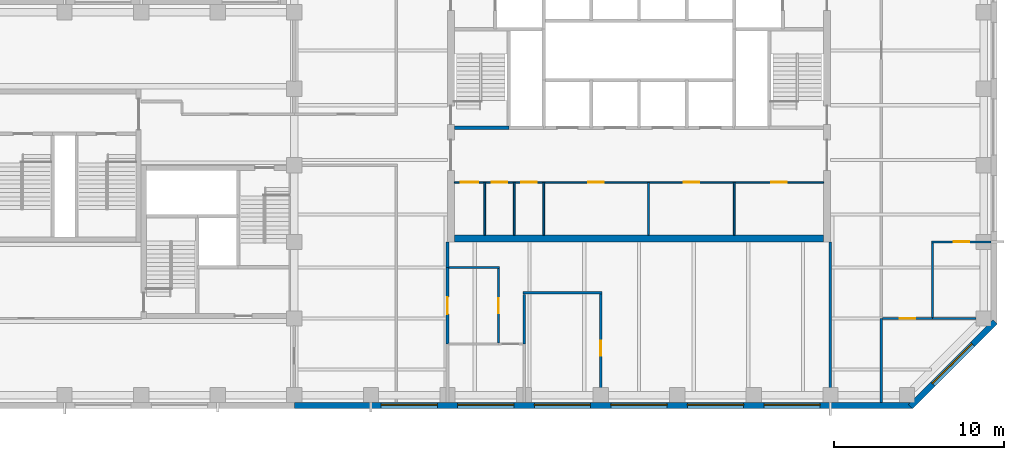
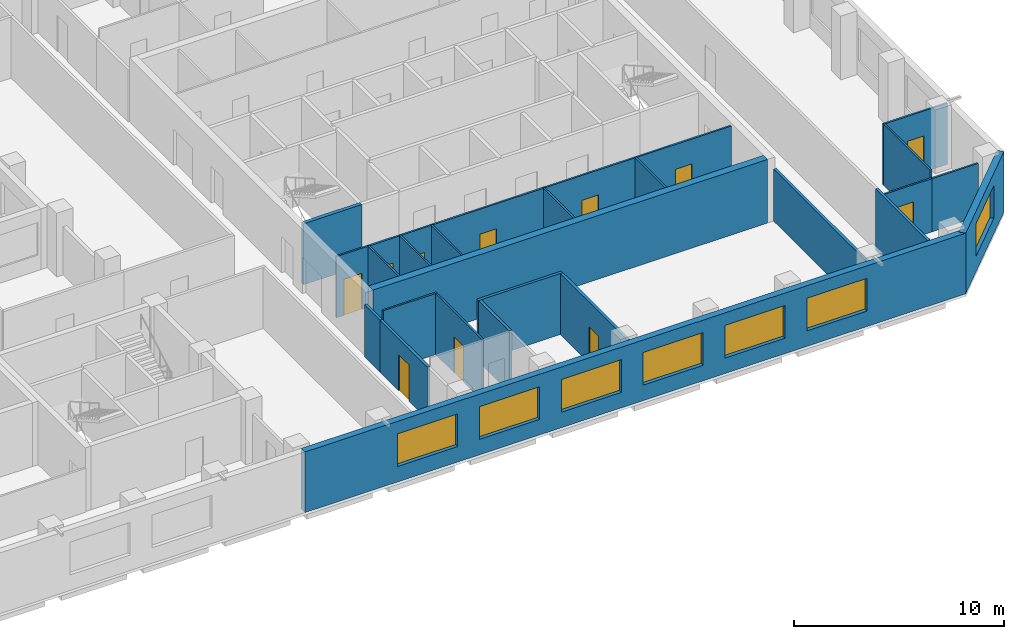
# One storey, part 4 of 9: 23 walls, 11 doors, 7 windows, 18 openings.
"""IFC4 building model written with IfcOpenShell, lengths in metres."""

from ifc_helpers import new_model, si_unit, direction, frame, frame_2d, origin, place, context, subcontext, project, spatial, rectangle, extrude, material, layer, layer_set, constituent, constituent_set, type_object, element, fill, save


model = new_model("IFC4")

# Units and contexts
model_context = context("Model", 3, precision=1e-05, world=origin(), true_north=direction((0.0, 1.0)))
body_context = subcontext(model_context, "Body", "Model", "MODEL_VIEW")
ifc_project = project(units=[si_unit("LENGTHUNIT", "METRE"), si_unit("AREAUNIT", "SQUARE_METRE"), si_unit("VOLUMEUNIT", "CUBIC_METRE"), si_unit("PLANEANGLEUNIT", "RADIAN"), si_unit("MASSUNIT", "GRAM", prefix="KILO")], contexts=[model_context])

# Site, building, storey
site_placement = place(None, origin())
site = spatial("IfcSite", under=ifc_project, at=site_placement, CompositionType="ELEMENT")
building_placement = place(site_placement, origin())
building = spatial("IfcBuilding", under=site, at=building_placement, Name="Quoin Convention Tower", CompositionType="ELEMENT")
storey_placement = place(building_placement, frame((0.0, 0.0, 169.89990234375)))
storey = spatial("IfcBuildingStorey", under=building, at=storey_placement, Name="L44", CompositionType="ELEMENT", Elevation=169.89990234375)

# Wall
ifc_material_1 = material(Name="Plasterboard")
ifc_layer_1 = layer(ifc_material_1, 0.012451171875, Name="Finish")
ifc_material_2 = material(Name="Steel stud framing", Category="steel")
ifc_layer_2 = layer(ifc_material_2, 0.125, Name="Structure")
ifc_layer_3 = layer(ifc_material_1, 0.012451171875, Name="Finish")
ifc_layer_set_1 = layer_set([ifc_layer_1, ifc_layer_2, ifc_layer_3], Name="Steel stud framing")
wall_type_1 = type_object("IfcWallType", Name="Acoustic partition 150", PredefinedType="PARTITIONING", material=ifc_layer_set_1)
wall_1_placement = place(storey_placement, frame((49.425048828125, 46.5, 0.0), z_axis=(0.0, 0.0, 1.0), x_axis=(1.0, 0.0, 0.0)))
element("IfcWall", 1, at=wall_1_placement, inside=storey, type_object=wall_type_1, Name="pw-L44-009", PredefinedType="PARTITIONING", context=body_context, shape_type="SweptSolid", body=[
    extrude(rectangle(XDim=4.64990234375, YDim=0.14990234375, at=frame_2d((2.324951171875, 0.0))), origin(), (0.0, 0.0, 1.0), 3.550048828125),
])

# Wall, opening, door
wall_2_placement = place(storey_placement, frame((54.0, 40.050048828125, 0.0), z_axis=(0.0, 0.0, 1.0), x_axis=(0.0, 1.0, 0.0)))
wall_2 = element("IfcWall", 2, at=wall_2_placement, inside=storey, type_object=wall_type_1, Name="pw-L44-030", PredefinedType="PARTITIONING", context=body_context, shape_type="SweptSolid", body=[
    extrude(rectangle(XDim=6.375, YDim=0.14990234375, at=frame_2d((3.1875, 0.0))), origin(), (0.0, 0.0, 1.0), 3.550048828125),
])
opening_1_placement = place(wall_2_placement, frame((2.75, 0.0, 0.0)))
opening_1 = element("IfcOpeningElement", 3, at=opening_1_placement, cuts=wall_2, Name="Opening DOH4-10", PredefinedType="OPENING", context=body_context, shape_type="SweptSolid", body=[
    extrude(rectangle(XDim=0.89990234375, YDim=2.10009765625, at=frame_2d((0.449951171875, 1.050048828125))), frame((0.0, 0.0849609375, 0.0), z_axis=(0.0, -1.0, 0.0), x_axis=(1.0, 0.0, 0.0)), (0.0, 0.0, 1.0), 0.169921875),
])
ifc_material_3 = material(Name="Steel door leaf", Category="steel")
door_type_1 = type_object("IfcDoorType", Name="Office door 900 x 2100", OperationType="SINGLE_SWING_RIGHT", PredefinedType="DOOR", material=ifc_material_3)
door_1_placement = place(opening_1_placement, frame((0.89990234375, 0.0, 0.0), z_axis=(0.0, 0.0, 1.0), x_axis=(-1.0, 0.0, 0.0)))
door_1 = element("IfcDoor", 4, at=door_1_placement, inside=storey, type_object=door_type_1, Name="dr-L44-13", OperationType="SINGLE_SWING_LEFT", OverallHeight=2.10009765625, OverallWidth=0.89990234375, PredefinedType="DOOR", context=body_context, shape_type="SweptSolid", body=[
    extrude(rectangle(XDim=0.89990234375, YDim=2.10009765625, at=frame_2d((0.449951171875, 1.050048828125))), frame((0.0, 0.02490234375, 0.0), z_axis=(0.0, -1.0, 0.0), x_axis=(1.0, 0.0, 0.0)), (0.0, 0.0, 1.0), 0.050048828125),
])
fill(opening_1, door_1)

# Wall
wall_3_placement = place(storey_placement, frame((49.5, 43.5, 0.0), z_axis=(0.0, 0.0, 1.0), x_axis=(0.0, 1.0, 0.0)))
element("IfcWall", 5, at=wall_3_placement, inside=storey, type_object=wall_type_1, Name="pw-L44-036", PredefinedType="PARTITIONING", context=body_context, shape_type="SweptSolid", body=[
    extrude(rectangle(XDim=2.925048828125, YDim=0.14990234375, at=frame_2d((1.46240234375, 0.0))), origin(), (0.0, 0.0, 1.0), 3.550048828125),
])

# Wall, openings, windows
ifc_material_4 = material(Name="Brick masonry", Category="masonry")
ifc_layer_4 = layer(ifc_material_4, 0.35009765625)
ifc_layer_set_2 = layer_set([ifc_layer_4], Name="Brick masonry")
wall_type_2 = type_object("IfcWallType", Name="Brick facade wall", PredefinedType="STANDARD", material=ifc_layer_set_2)
wall_4_placement = place(storey_placement, frame((36.0, 39.875, 0.0), z_axis=(0.0, 0.0, 1.0), x_axis=(1.0, 0.0, 0.0)))
wall_4 = element("IfcWall", 6, at=wall_4_placement, inside=storey, type_object=wall_type_2, Name="fw-L44-36000_40500", PredefinedType="STANDARD", context=body_context, shape_type="SweptSolid", body=[
    extrude(rectangle(XDim=36.331298828125, YDim=0.35009765625, at=frame_2d((18.16552734375, 0.0))), origin(), (0.0, 0.0, 1.0), 3.525146484375),
])
opening_2_placement = place(wall_4_placement, frame((5.10009765625, 0.0, 0.89990234375)))
opening_2 = element("IfcOpeningElement", 7, at=opening_2_placement, cuts=wall_4, Name="Opening W-02", PredefinedType="OPENING", context=body_context, shape_type="SweptSolid", body=[
    extrude(rectangle(XDim=3.300048828125, YDim=1.89990234375, at=frame_2d((1.64990234375, 0.949951171875))), frame((0.0, 0.18505859375, 0.0), z_axis=(0.0, -1.0, 0.0), x_axis=(1.0, 0.0, 0.0)), (0.0, 0.0, 1.0), 0.3701171875),
])
opening_3_placement = place(wall_4_placement, frame((9.60009765625, 0.0, 0.89990234375)))
opening_3 = element("IfcOpeningElement", 8, at=opening_3_placement, cuts=wall_4, Name="Opening W-02", PredefinedType="OPENING", context=body_context, shape_type="SweptSolid", body=[
    extrude(rectangle(XDim=3.300048828125, YDim=1.89990234375, at=frame_2d((1.64990234375, 0.949951171875))), frame((0.0, 0.18505859375, 0.0), z_axis=(0.0, -1.0, 0.0), x_axis=(1.0, 0.0, 0.0)), (0.0, 0.0, 1.0), 0.3701171875),
])
opening_4_placement = place(wall_4_placement, frame((14.10009765625, 0.0, 0.89990234375)))
opening_4 = element("IfcOpeningElement", 9, at=opening_4_placement, cuts=wall_4, Name="Opening W-02", PredefinedType="OPENING", context=body_context, shape_type="SweptSolid", body=[
    extrude(rectangle(XDim=3.300048828125, YDim=1.89990234375, at=frame_2d((1.64990234375, 0.949951171875))), frame((0.0, 0.18505859375, 0.0), z_axis=(0.0, -1.0, 0.0), x_axis=(1.0, 0.0, 0.0)), (0.0, 0.0, 1.0), 0.3701171875),
])
opening_5_placement = place(wall_4_placement, frame((18.60009765625, 0.0, 0.89990234375)))
opening_5 = element("IfcOpeningElement", 10, at=opening_5_placement, cuts=wall_4, Name="Opening W-02", PredefinedType="OPENING", context=body_context, shape_type="SweptSolid", body=[
    extrude(rectangle(XDim=3.300048828125, YDim=1.89990234375, at=frame_2d((1.64990234375, 0.949951171875))), frame((0.0, 0.18505859375, 0.0), z_axis=(0.0, -1.0, 0.0), x_axis=(1.0, 0.0, 0.0)), (0.0, 0.0, 1.0), 0.3701171875),
])
opening_6_placement = place(wall_4_placement, frame((23.10009765625, 0.0, 0.89990234375)))
opening_6 = element("IfcOpeningElement", 11, at=opening_6_placement, cuts=wall_4, Name="Opening W-02", PredefinedType="OPENING", context=body_context, shape_type="SweptSolid", body=[
    extrude(rectangle(XDim=3.300048828125, YDim=1.89990234375, at=frame_2d((1.64990234375, 0.949951171875))), frame((0.0, 0.18505859375, 0.0), z_axis=(0.0, -1.0, 0.0), x_axis=(1.0, 0.0, 0.0)), (0.0, 0.0, 1.0), 0.3701171875),
])
opening_7_placement = place(wall_4_placement, frame((27.60009765625, 0.0, 0.89990234375)))
opening_7 = element("IfcOpeningElement", 12, at=opening_7_placement, cuts=wall_4, Name="Opening W-02", PredefinedType="OPENING", context=body_context, shape_type="SweptSolid", body=[
    extrude(rectangle(XDim=3.300048828125, YDim=1.89990234375, at=frame_2d((1.64990234375, 0.949951171875))), frame((0.0, 0.18505859375, 0.0), z_axis=(0.0, -1.0, 0.0), x_axis=(1.0, 0.0, 0.0)), (0.0, 0.0, 1.0), 0.3701171875),
])
ifc_material_5 = material(Name="Aluminium", Category="aluminium")
ifc_constituent_1 = constituent(ifc_material_5, Name="Frame")
ifc_material_6 = material(Name="Insulated glass", Category="glass")
ifc_constituent_2 = constituent(ifc_material_6, Name="Glazing")
ifc_constituent_set = constituent_set(constituents=[ifc_constituent_1, ifc_constituent_2], Name="Aluminium")
window_type = type_object("IfcWindowType", Name="Office window", PartitioningType="DOUBLE_PANEL_VERTICAL", PredefinedType="WINDOW", material=ifc_constituent_set)
window_1_placement = place(opening_2_placement, origin())
window_1 = element("IfcWindow", 13, at=window_1_placement, inside=storey, type_object=window_type, Name="win-L44-42750_39875", OverallHeight=1.89990234375, OverallWidth=3.300048828125, PartitioningType="SINGLE_PANEL", PredefinedType="WINDOW", context=body_context, shape_type="SweptSolid", body=[
    extrude(rectangle(XDim=3.300048828125, YDim=1.89990234375, at=frame_2d((1.64990234375, 0.949951171875))), frame((0.0, 0.0849609375, 0.0), z_axis=(0.0, -1.0, 0.0), x_axis=(1.0, 0.0, 0.0)), (0.0, 0.0, 1.0), 0.06005859375),
])
fill(opening_2, window_1)
window_2_placement = place(opening_3_placement, origin())
window_2 = element("IfcWindow", 14, at=window_2_placement, inside=storey, type_object=window_type, Name="win-L44-47250_39875", OverallHeight=1.89990234375, OverallWidth=3.300048828125, PartitioningType="SINGLE_PANEL", PredefinedType="WINDOW", context=body_context, shape_type="SweptSolid", body=[
    extrude(rectangle(XDim=3.300048828125, YDim=1.89990234375, at=frame_2d((1.64990234375, 0.949951171875))), frame((0.0, 0.0849609375, 0.0), z_axis=(0.0, -1.0, 0.0), x_axis=(1.0, 0.0, 0.0)), (0.0, 0.0, 1.0), 0.06005859375),
])
fill(opening_3, window_2)
window_3_placement = place(opening_4_placement, origin())
window_3 = element("IfcWindow", 15, at=window_3_placement, inside=storey, type_object=window_type, Name="win-L44-51750_39875", OverallHeight=1.89990234375, OverallWidth=3.300048828125, PartitioningType="SINGLE_PANEL", PredefinedType="WINDOW", context=body_context, shape_type="SweptSolid", body=[
    extrude(rectangle(XDim=3.300048828125, YDim=1.89990234375, at=frame_2d((1.64990234375, 0.949951171875))), frame((0.0, 0.0849609375, 0.0), z_axis=(0.0, -1.0, 0.0), x_axis=(1.0, 0.0, 0.0)), (0.0, 0.0, 1.0), 0.06005859375),
])
fill(opening_4, window_3)
window_4_placement = place(opening_5_placement, origin())
window_4 = element("IfcWindow", 16, at=window_4_placement, inside=storey, type_object=window_type, Name="win-L44-56250_39875", OverallHeight=1.89990234375, OverallWidth=3.300048828125, PartitioningType="SINGLE_PANEL", PredefinedType="WINDOW", context=body_context, shape_type="SweptSolid", body=[
    extrude(rectangle(XDim=3.300048828125, YDim=1.89990234375, at=frame_2d((1.64990234375, 0.949951171875))), frame((0.0, 0.0849609375, 0.0), z_axis=(0.0, -1.0, 0.0), x_axis=(1.0, 0.0, 0.0)), (0.0, 0.0, 1.0), 0.06005859375),
])
fill(opening_5, window_4)
window_5_placement = place(opening_6_placement, origin())
window_5 = element("IfcWindow", 17, at=window_5_placement, inside=storey, type_object=window_type, Name="win-L44-60750_39875", OverallHeight=1.89990234375, OverallWidth=3.300048828125, PartitioningType="SINGLE_PANEL", PredefinedType="WINDOW", context=body_context, shape_type="SweptSolid", body=[
    extrude(rectangle(XDim=3.300048828125, YDim=1.89990234375, at=frame_2d((1.64990234375, 0.949951171875))), frame((0.0, 0.0849609375, 0.0), z_axis=(0.0, -1.0, 0.0), x_axis=(1.0, 0.0, 0.0)), (0.0, 0.0, 1.0), 0.06005859375),
])
fill(opening_6, window_5)
window_6_placement = place(opening_7_placement, origin())
window_6 = element("IfcWindow", 18, at=window_6_placement, inside=storey, type_object=window_type, Name="win-L44-65250_39875", OverallHeight=1.89990234375, OverallWidth=3.300048828125, PartitioningType="SINGLE_PANEL", PredefinedType="WINDOW", context=body_context, shape_type="SweptSolid", body=[
    extrude(rectangle(XDim=3.300048828125, YDim=1.89990234375, at=frame_2d((1.64990234375, 0.949951171875))), frame((0.0, 0.0849609375, 0.0), z_axis=(0.0, -1.0, 0.0), x_axis=(1.0, 0.0, 0.0)), (0.0, 0.0, 1.0), 0.06005859375),
])
fill(opening_7, window_6)

# Wall, opening, window
wall_5_placement = place(storey_placement, frame((72.20751953125, 39.82373046875, 0.0), z_axis=(0.0, 0.0, 1.0), x_axis=(0.707106781187, 0.707106781187, 0.0)))
wall_5 = element("IfcWall", 19, at=wall_5_placement, inside=storey, type_object=wall_type_2, Name="fw-L44-72000_40500", PredefinedType="STANDARD", context=body_context, shape_type="SweptSolid", body=[
    extrude(rectangle(XDim=7.02685546875, YDim=0.35009765625, at=frame_2d((3.513427734375, 0.0))), origin(), (0.0, 0.0, 1.0), 3.525146484375),
])
opening_8_placement = place(wall_5_placement, frame((1.86328125, 0.0, 0.89990234375)))
opening_8 = element("IfcOpeningElement", 20, at=opening_8_placement, cuts=wall_5, Name="Opening W-02", PredefinedType="OPENING", context=body_context, shape_type="SweptSolid", body=[
    extrude(rectangle(XDim=3.300048828125, YDim=1.89990234375, at=frame_2d((1.64990234375, 0.949951171875))), frame((0.0, 0.18505859375, 0.0), z_axis=(0.0, -1.0, 0.0), x_axis=(1.0, 0.0, 0.0)), (0.0, 0.0, 1.0), 0.3701171875),
])
window_7_placement = place(opening_8_placement, origin())
window_7 = element("IfcWindow", 21, at=window_7_placement, inside=storey, type_object=window_type, Name="win-L44-74692_42308", OverallHeight=1.89990234375, OverallWidth=3.300048828125, PartitioningType="SINGLE_PANEL", PredefinedType="WINDOW", context=body_context, shape_type="SweptSolid", body=[
    extrude(rectangle(XDim=3.300048828125, YDim=1.89990234375, at=frame_2d((1.64990234375, 0.949951171875))), frame((0.0, 0.0849609375, 0.0), z_axis=(0.0, -1.0, 0.0), x_axis=(1.0, 0.0, 0.0)), (0.0, 0.0, 1.0), 0.06005859375),
])
fill(opening_8, window_7)

# Wall, openings, doors
ifc_layer_5 = layer(ifc_material_1, 0.012451171875, Name="Finish")
ifc_layer_6 = layer(ifc_material_2, 0.074951171875, Name="Structure")
ifc_layer_7 = layer(ifc_material_1, 0.012451171875, Name="Finish")
ifc_layer_set_3 = layer_set([ifc_layer_5, ifc_layer_6, ifc_layer_7], Name="Steel stud framing")
wall_type_3 = type_object("IfcWallType", Name="Core partition wall", PredefinedType="PARTITIONING", material=ifc_layer_set_3)
wall_6_placement = place(storey_placement, frame((45.39990234375, 53.0, 0.0), z_axis=(0.0, 0.0, 1.0), x_axis=(1.0, 0.0, 0.0)))
wall_6 = element("IfcWall", 22, at=wall_6_placement, inside=storey, type_object=wall_type_3, Name="cr-C1-L44-h3500_400", PredefinedType="PARTITIONING", context=body_context, shape_type="SweptSolid", body=[
    extrude(rectangle(XDim=21.7001953125, YDim=0.10009765625, at=frame_2d((10.85009765625, 0.0))), origin(), (0.0, 0.0, 1.0), 3.550048828125),
])
opening_9_placement = place(wall_6_placement, frame((18.625, 0.0, 0.0)))
opening_9 = element("IfcOpeningElement", 23, at=opening_9_placement, cuts=wall_6, Name="Opening DCV3-30", PredefinedType="OPENING", context=body_context, shape_type="SweptSolid", body=[
    extrude(rectangle(XDim=0.89990234375, YDim=2.10009765625, at=frame_2d((0.449951171875, 1.050048828125))), frame((0.0, 0.06005859375, 0.0), z_axis=(0.0, -1.0, 0.0), x_axis=(1.0, 0.0, 0.0)), (0.0, 0.0, 1.0), 0.1201171875),
])
opening_10_placement = place(wall_6_placement, frame((0.392578125, 0.0, 0.0)))
opening_10 = element("IfcOpeningElement", 24, at=opening_10_placement, cuts=wall_6, Name="Opening DCV3-21", PredefinedType="OPENING", context=body_context, shape_type="SweptSolid", body=[
    extrude(rectangle(XDim=1.0, YDim=2.10009765625, at=frame_2d((0.5, 1.050048828125))), frame((0.0, 0.06005859375, 0.0), z_axis=(0.0, -1.0, 0.0), x_axis=(1.0, 0.0, 0.0)), (0.0, 0.0, 1.0), 0.1201171875),
])
opening_11_placement = place(wall_6_placement, frame((2.201416015625, 0.0, 0.0)))
opening_11 = element("IfcOpeningElement", 25, at=opening_11_placement, cuts=wall_6, Name="Opening DCV3-22", PredefinedType="OPENING", context=body_context, shape_type="SweptSolid", body=[
    extrude(rectangle(XDim=0.89990234375, YDim=2.10009765625, at=frame_2d((0.449951171875, 1.050048828125))), frame((0.0, 0.06005859375, 0.0), z_axis=(0.0, -1.0, 0.0), x_axis=(1.0, 0.0, 0.0)), (0.0, 0.0, 1.0), 0.1201171875),
])
opening_12_placement = place(wall_6_placement, frame((3.93359375, 0.0, 0.0)))
opening_12 = element("IfcOpeningElement", 26, at=opening_12_placement, cuts=wall_6, Name="Opening DCV3-23", PredefinedType="OPENING", context=body_context, shape_type="SweptSolid", body=[
    extrude(rectangle(XDim=0.89990234375, YDim=2.10009765625, at=frame_2d((0.449951171875, 1.050048828125))), frame((0.0, 0.06005859375, 0.0), z_axis=(0.0, -1.0, 0.0), x_axis=(1.0, 0.0, 0.0)), (0.0, 0.0, 1.0), 0.1201171875),
])
opening_13_placement = place(wall_6_placement, frame((7.8798828125, 0.0, 0.0)))
opening_13 = element("IfcOpeningElement", 27, at=opening_13_placement, cuts=wall_6, Name="Opening DCV3-25", PredefinedType="OPENING", context=body_context, shape_type="SweptSolid", body=[
    extrude(rectangle(XDim=0.89990234375, YDim=2.10009765625, at=frame_2d((0.449951171875, 1.050048828125))), frame((0.0, 0.06005859375, 0.0), z_axis=(0.0, -1.0, 0.0), x_axis=(1.0, 0.0, 0.0)), (0.0, 0.0, 1.0), 0.1201171875),
])
opening_14_placement = place(wall_6_placement, frame((13.47998046875, 0.0, 0.0)))
opening_14 = element("IfcOpeningElement", 28, at=opening_14_placement, cuts=wall_6, Name="Opening DCV3-28", PredefinedType="OPENING", context=body_context, shape_type="SweptSolid", body=[
    extrude(rectangle(XDim=0.89990234375, YDim=2.10009765625, at=frame_2d((0.449951171875, 1.050048828125))), frame((0.0, 0.06005859375, 0.0), z_axis=(0.0, -1.0, 0.0), x_axis=(1.0, 0.0, 0.0)), (0.0, 0.0, 1.0), 0.1201171875),
])
door_type_2 = type_object("IfcDoorType", Name="Core room door 1000 x 2100", OperationType="SINGLE_SWING_LEFT", PredefinedType="DOOR", material=ifc_material_3)
door_2_placement = place(opening_10_placement, frame((1.0, 0.0, 0.0), z_axis=(0.0, 0.0, 1.0), x_axis=(-1.0, 0.0, 0.0)))
door_2 = element("IfcDoor", 29, at=door_2_placement, inside=storey, type_object=door_type_2, Name="cd-C1-L44-CSW0-lobA-CD4412", OperationType="SINGLE_SWING_LEFT", OverallHeight=2.10009765625, OverallWidth=1.0, PredefinedType="DOOR", context=body_context, shape_type="SweptSolid", body=[
    extrude(rectangle(XDim=1.0, YDim=2.10009765625, at=frame_2d((0.5, 1.050048828125))), frame((0.0, 0.02490234375, 0.0), z_axis=(0.0, -1.0, 0.0), x_axis=(1.0, 0.0, 0.0)), (0.0, 0.0, 1.0), 0.050048828125),
])
fill(opening_10, door_2)
door_type_3 = type_object("IfcDoorType", Name="Core room door 900 x 2100", OperationType="SINGLE_SWING_LEFT", PredefinedType="DOOR", material=ifc_material_3)
door_3_placement = place(opening_9_placement, frame((0.89990234375, 0.0, 0.0), z_axis=(0.0, 0.0, 1.0), x_axis=(-1.0, 0.0, 0.0)))
door_3 = element("IfcDoor", 30, at=door_3_placement, inside=storey, type_object=door_type_3, Name="cd-C1-L44-CSE0-lobA-CD4411", OperationType="SINGLE_SWING_RIGHT", OverallHeight=2.10009765625, OverallWidth=0.89990234375, PredefinedType="DOOR", context=body_context, shape_type="SweptSolid", body=[
    extrude(rectangle(XDim=0.89990234375, YDim=2.10009765625, at=frame_2d((0.449951171875, 1.050048828125))), frame((0.0, 0.02490234375, 0.0), z_axis=(0.0, -1.0, 0.0), x_axis=(1.0, 0.0, 0.0)), (0.0, 0.0, 1.0), 0.050048828125),
])
fill(opening_9, door_3)
door_4_placement = place(opening_11_placement, frame((0.89990234375, 0.0, 0.0), z_axis=(0.0, 0.0, 1.0), x_axis=(-1.0, 0.0, 0.0)))
door_4 = element("IfcDoor", 31, at=door_4_placement, inside=storey, type_object=door_type_3, Name="cd-C1-L44-CSW1-lobA-CD4413", OperationType="SINGLE_SWING_LEFT", OverallHeight=2.10009765625, OverallWidth=0.89990234375, PredefinedType="DOOR", context=body_context, shape_type="SweptSolid", body=[
    extrude(rectangle(XDim=0.89990234375, YDim=2.10009765625, at=frame_2d((0.449951171875, 1.050048828125))), frame((0.0, 0.02490234375, 0.0), z_axis=(0.0, -1.0, 0.0), x_axis=(1.0, 0.0, 0.0)), (0.0, 0.0, 1.0), 0.050048828125),
])
fill(opening_11, door_4)
door_5_placement = place(opening_12_placement, frame((0.89990234375, 0.0, 0.0), z_axis=(0.0, 0.0, 1.0), x_axis=(-1.0, 0.0, 0.0)))
door_5 = element("IfcDoor", 32, at=door_5_placement, inside=storey, type_object=door_type_3, Name="cd-C1-L44-CSW2-lobA-CD4414", OperationType="SINGLE_SWING_LEFT", OverallHeight=2.10009765625, OverallWidth=0.89990234375, PredefinedType="DOOR", context=body_context, shape_type="SweptSolid", body=[
    extrude(rectangle(XDim=0.89990234375, YDim=2.10009765625, at=frame_2d((0.449951171875, 1.050048828125))), frame((0.0, 0.02490234375, 0.0), z_axis=(0.0, -1.0, 0.0), x_axis=(1.0, 0.0, 0.0)), (0.0, 0.0, 1.0), 0.050048828125),
])
fill(opening_12, door_5)
door_6_placement = place(opening_13_placement, frame((0.89990234375, 0.0, 0.0), z_axis=(0.0, 0.0, 1.0), x_axis=(-1.0, 0.0, 0.0)))
door_6 = element("IfcDoor", 33, at=door_6_placement, inside=storey, type_object=door_type_3, Name="cd-C1-L44-F10-lobA-CD4415", OperationType="SINGLE_SWING_LEFT", OverallHeight=2.10009765625, OverallWidth=0.89990234375, PredefinedType="DOOR", context=body_context, shape_type="SweptSolid", body=[
    extrude(rectangle(XDim=0.89990234375, YDim=2.10009765625, at=frame_2d((0.449951171875, 1.050048828125))), frame((0.0, 0.02490234375, 0.0), z_axis=(0.0, -1.0, 0.0), x_axis=(1.0, 0.0, 0.0)), (0.0, 0.0, 1.0), 0.050048828125),
])
fill(opening_13, door_6)
door_7_placement = place(opening_14_placement, frame((0.89990234375, 0.0, 0.0), z_axis=(0.0, 0.0, 1.0), x_axis=(-1.0, 0.0, 0.0)))
door_7 = element("IfcDoor", 34, at=door_7_placement, inside=storey, type_object=door_type_3, Name="cd-C1-L44-F11-lobA-CD4416", OperationType="SINGLE_SWING_LEFT", OverallHeight=2.10009765625, OverallWidth=0.89990234375, PredefinedType="DOOR", context=body_context, shape_type="SweptSolid", body=[
    extrude(rectangle(XDim=0.89990234375, YDim=2.10009765625, at=frame_2d((0.449951171875, 1.050048828125))), frame((0.0, 0.02490234375, 0.0), z_axis=(0.0, -1.0, 0.0), x_axis=(1.0, 0.0, 0.0)), (0.0, 0.0, 1.0), 0.050048828125),
])
fill(opening_14, door_7)

# Walls
for number, where, z_axis, x_axis, name in (
    (35, (47.18505859375, 49.89990234375, 0.0), (0.0, 0.0, 1.0), (0.0, 1.0, 0.0), "cr-C1-L44-v2185_400"),
    (36, (48.91748046875, 49.89990234375, 0.0), (0.0, 0.0, 1.0), (0.0, 1.0, 0.0), "cr-C1-L44-v3918_400"),
    (37, (50.64990234375, 49.89990234375, 0.0), (0.0, 0.0, 1.0), (0.0, 1.0, 0.0), "cr-C1-L44-v5650_400"),
    (38, (56.81005859375, 49.89990234375, 0.0), (0.0, 0.0, 1.0), (0.0, 1.0, 0.0), "cr-C1-L44-v11810_400"),
    (39, (61.85009765625, 49.89990234375, 0.0), (0.0, 0.0, 1.0), (0.0, 1.0, 0.0), "cr-C1-L44-v16850_400"),
):
    element("IfcWall", number, at=place(storey_placement, frame(where, z_axis=z_axis, x_axis=x_axis)), inside=storey, type_object=wall_type_3, Name=name, PredefinedType="PARTITIONING", context=body_context, shape_type="SweptSolid", body=[
        extrude(rectangle(XDim=3.10009765625, YDim=0.10009765625, at=frame_2d((1.550048828125, 0.0))), origin(), (0.0, 0.0, 1.0), 3.550048828125),
    ])
ifc_material_7 = material(Name="Concrete C50", Category="concrete")
ifc_layer_8 = layer(ifc_material_7, 0.199951171875)
ifc_layer_set_4 = layer_set([ifc_layer_8], Name="Concrete C50")
wall_type_4 = type_object("IfcWallType", Name="Core shaft wall", PredefinedType="SOLIDWALL", material=ifc_layer_set_4)
wall_7_placement = place(storey_placement, frame((45.39990234375, 56.199951171875, 0.0), z_axis=(0.0, 0.0, 1.0), x_axis=(1.0, 0.0, 0.0)))
element("IfcWall", 40, at=wall_7_placement, inside=storey, type_object=wall_type_4, Name="cr-C1-L44-h6700_400", PredefinedType="SOLIDWALL", context=body_context, shape_type="SweptSolid", body=[
    extrude(rectangle(XDim=3.2001953125, YDim=0.199951171875, at=frame_2d((1.60009765625, 0.0))), origin(), (0.0, 0.0, 1.0), 3.550048828125),
])
ifc_layer_9 = layer(ifc_material_1, 0.012451171875, Name="Finish")
ifc_layer_10 = layer(ifc_material_2, 0.125, Name="Structure")
ifc_layer_11 = layer(ifc_material_1, 0.012451171875, Name="Finish")
ifc_layer_set_5 = layer_set([ifc_layer_9, ifc_layer_10, ifc_layer_11], Name="Steel stud framing")
wall_type_5 = type_object("IfcWallType", Name="Corridor wall 150", PredefinedType="PARTITIONING", material=ifc_layer_set_5)
wall_8_placement = place(storey_placement, frame((70.5, 40.050048828125, 0.0), z_axis=(0.0, 0.0, 1.0), x_axis=(0.0, 1.0, 0.0)))
element("IfcWall", 41, at=wall_8_placement, inside=storey, type_object=wall_type_5, Name="pw-L44-032", PredefinedType="PARTITIONING", context=body_context, shape_type="SweptSolid", body=[
    extrude(rectangle(XDim=4.949951171875, YDim=0.14990234375, at=frame_2d((2.47509765625, 0.0))), origin(), (0.0, 0.0, 1.0), 3.550048828125),
])
ifc_layer_12 = layer(ifc_material_1, 0.012451171875, Name="Finish")
ifc_layer_13 = layer(ifc_material_2, 0.125, Name="Structure")
ifc_layer_14 = layer(ifc_material_1, 0.012451171875, Name="Finish")
ifc_layer_set_6 = layer_set([ifc_layer_12, ifc_layer_13, ifc_layer_14], Name="Steel stud framing")
wall_type_6 = type_object("IfcWallType", Name="Corridor wall 150 under beam 528", PredefinedType="PARTITIONING", material=ifc_layer_set_6)
wall_9_placement = place(storey_placement, frame((67.5, 40.050048828125, 0.0), z_axis=(0.0, 0.0, 1.0), x_axis=(0.0, 1.0, 0.0)))
element("IfcWall", 42, at=wall_9_placement, inside=storey, type_object=wall_type_6, Name="pw-L44-031", PredefinedType="PARTITIONING", context=body_context, shape_type="SweptSolid", body=[
    extrude(rectangle(XDim=9.449951171875, YDim=0.14990234375, at=frame_2d((4.72509765625, 0.0))), origin(), (0.0, 0.0, 1.0), 3.022216796875),
])

# Wall, opening, door
wall_10_placement = place(storey_placement, frame((45.0, 43.5, 0.0), z_axis=(0.0, 0.0, 1.0), x_axis=(0.0, 1.0, 0.0)))
wall_10 = element("IfcWall", 43, at=wall_10_placement, inside=storey, type_object=wall_type_6, Name="pw-L44-035", PredefinedType="PARTITIONING", context=body_context, shape_type="SweptSolid", body=[
    extrude(rectangle(XDim=4.5, YDim=0.14990234375, at=frame_2d((2.25, 0.0))), origin(), (0.0, 0.0, 1.0), 3.022216796875),
])
opening_15_placement = place(wall_10_placement, frame((1.75, 0.0, 0.0)))
opening_15 = element("IfcOpeningElement", 44, at=opening_15_placement, cuts=wall_10, Name="Opening DOH4-12", PredefinedType="OPENING", context=body_context, shape_type="SweptSolid", body=[
    extrude(rectangle(XDim=1.0, YDim=2.10009765625, at=frame_2d((0.5, 1.050048828125))), frame((0.0, 0.0849609375, 0.0), z_axis=(0.0, -1.0, 0.0), x_axis=(1.0, 0.0, 0.0)), (0.0, 0.0, 1.0), 0.169921875),
])
door_type_4 = type_object("IfcDoorType", Name="Tenancy entrance door 1000 x 2100", OperationType="DOUBLE_DOOR_SINGLE_SWING", PredefinedType="DOOR", material=ifc_material_3)
door_8_placement = place(opening_15_placement, frame((1.0, 0.0, 0.0), z_axis=(0.0, 0.0, 1.0), x_axis=(-1.0, 0.0, 0.0)))
door_8 = element("IfcDoor", 45, at=door_8_placement, inside=storey, type_object=door_type_4, Name="dr-L44-11", OperationType="DOUBLE_DOOR_SINGLE_SWING", OverallHeight=2.10009765625, OverallWidth=1.0, PredefinedType="DOOR", context=body_context, shape_type="SweptSolid", body=[
    extrude(rectangle(XDim=1.0, YDim=2.10009765625, at=frame_2d((0.5, 1.050048828125))), frame((0.0, 0.02490234375, 0.0), z_axis=(0.0, -1.0, 0.0), x_axis=(1.0, 0.0, 0.0)), (0.0, 0.0, 1.0), 0.050048828125),
])
fill(opening_15, door_8)

# Walls
wall_11_placement = place(storey_placement, frame((45.0, 48.0, 0.0), z_axis=(0.0, 0.0, 1.0), x_axis=(0.0, 1.0, 0.0)))
element("IfcWall", 46, at=wall_11_placement, inside=storey, type_object=wall_type_6, Name="pw-L44-044", PredefinedType="PARTITIONING", context=body_context, shape_type="SweptSolid", body=[
    extrude(rectangle(XDim=1.5, YDim=0.14990234375, at=frame_2d((0.75, 0.0))), origin(), (0.0, 0.0, 1.0), 3.022216796875),
])
ifc_layer_15 = layer(ifc_material_7, 0.39990234375)
ifc_layer_set_7 = layer_set([ifc_layer_15], Name="Concrete C50")
wall_type_7 = type_object("IfcWallType", Name="RC CORE WALL 400 C50", PredefinedType="SHEAR", material=ifc_layer_set_7)
wall_12_placement = place(storey_placement, frame((45.39990234375, 49.699951171875, 0.0), z_axis=(0.0, 0.0, 1.0), x_axis=(1.0, 0.0, 0.0)))
element("IfcWall", 47, at=wall_12_placement, inside=storey, type_object=wall_type_7, Name="cwl-C1-L44-S", PredefinedType="SHEAR", context=body_context, shape_type="SweptSolid", body=[
    extrude(rectangle(XDim=21.7001953125, YDim=0.39990234375, at=frame_2d((10.85009765625, 0.0))), origin(), (0.0, 0.0, 1.0), 3.7001953125),
])
ifc_layer_16 = layer(ifc_material_1, 0.012451171875, Name="Finish")
ifc_layer_17 = layer(ifc_material_2, 0.074951171875, Name="Structure")
ifc_layer_18 = layer(ifc_material_1, 0.012451171875, Name="Finish")
ifc_layer_set_8 = layer_set([ifc_layer_16, ifc_layer_17, ifc_layer_18], Name="Steel stud framing")
wall_type_8 = type_object("IfcWallType", Name="Stud partition 100", PredefinedType="PARTITIONING", material=ifc_layer_set_8)
wall_13_placement = place(storey_placement, frame((45.074951171875, 48.0, 0.0), z_axis=(0.0, 0.0, 1.0), x_axis=(1.0, 0.0, 0.0)))
element("IfcWall", 48, at=wall_13_placement, inside=storey, type_object=wall_type_8, Name="pw-L44-010", PredefinedType="PARTITIONING", context=body_context, shape_type="SweptSolid", body=[
    extrude(rectangle(XDim=2.97509765625, YDim=0.10009765625, at=frame_2d((1.487548828125, 0.0))), origin(), (0.0, 0.0, 1.0), 3.550048828125),
])

# Wall, opening, door
wall_14_placement = place(storey_placement, frame((73.449951171875, 49.5, 0.0), z_axis=(0.0, 0.0, 1.0), x_axis=(1.0, 0.0, 0.0)))
wall_14 = element("IfcWall", 49, at=wall_14_placement, inside=storey, type_object=wall_type_8, Name="pw-L44-012", PredefinedType="PARTITIONING", context=body_context, shape_type="SweptSolid", body=[
    extrude(rectangle(XDim=3.5, YDim=0.10009765625, at=frame_2d((1.75, 0.0))), origin(), (0.0, 0.0, 1.0), 3.550048828125),
])
opening_16_placement = place(wall_14_placement, frame((1.300048828125, 0.0, 0.0)))
opening_16 = element("IfcOpeningElement", 50, at=opening_16_placement, cuts=wall_14, Name="Opening DOH4-03", PredefinedType="OPENING", context=body_context, shape_type="SweptSolid", body=[
    extrude(rectangle(XDim=0.89990234375, YDim=2.10009765625, at=frame_2d((0.449951171875, 1.050048828125))), frame((0.0, 0.06005859375, 0.0), z_axis=(0.0, -1.0, 0.0), x_axis=(1.0, 0.0, 0.0)), (0.0, 0.0, 1.0), 0.1201171875),
])
door_9_placement = place(opening_16_placement, origin())
door_9 = element("IfcDoor", 51, at=door_9_placement, inside=storey, type_object=door_type_1, Name="dr-L44-24", OperationType="SINGLE_SWING_RIGHT", OverallHeight=2.10009765625, OverallWidth=0.89990234375, PredefinedType="DOOR", context=body_context, shape_type="SweptSolid", body=[
    extrude(rectangle(XDim=0.89990234375, YDim=2.10009765625, at=frame_2d((0.449951171875, 1.050048828125))), frame((0.0, 0.02490234375, 0.0), z_axis=(0.0, -1.0, 0.0), x_axis=(1.0, 0.0, 0.0)), (0.0, 0.0, 1.0), 0.050048828125),
])
fill(opening_16, door_9)

wall_15_placement = place(storey_placement, frame((48.0, 43.550048828125, 0.0), z_axis=(0.0, 0.0, 1.0), x_axis=(0.0, 1.0, 0.0)))
wall_15 = element("IfcWall", 52, at=wall_15_placement, inside=storey, type_object=wall_type_8, Name="pw-L44-037", PredefinedType="PARTITIONING", context=body_context, shape_type="SweptSolid", body=[
    extrude(rectangle(XDim=4.39990234375, YDim=0.10009765625, at=frame_2d((2.199951171875, 0.0))), origin(), (0.0, 0.0, 1.0), 3.550048828125),
])
opening_17_placement = place(wall_15_placement, frame((1.75, 0.0, 0.0)))
opening_17 = element("IfcOpeningElement", 53, at=opening_17_placement, cuts=wall_15, Name="Opening DOH4-13", PredefinedType="OPENING", context=body_context, shape_type="SweptSolid", body=[
    extrude(rectangle(XDim=0.89990234375, YDim=2.10009765625, at=frame_2d((0.449951171875, 1.050048828125))), frame((0.0, 0.06005859375, 0.0), z_axis=(0.0, -1.0, 0.0), x_axis=(1.0, 0.0, 0.0)), (0.0, 0.0, 1.0), 0.1201171875),
])
door_10_placement = place(opening_17_placement, frame((0.89990234375, 0.0, 0.0), z_axis=(0.0, 0.0, 1.0), x_axis=(-1.0, 0.0, 0.0)))
door_10 = element("IfcDoor", 54, at=door_10_placement, inside=storey, type_object=door_type_1, Name="dr-L44-12", OperationType="SINGLE_SWING_LEFT", OverallHeight=2.10009765625, OverallWidth=0.89990234375, PredefinedType="DOOR", context=body_context, shape_type="SweptSolid", body=[
    extrude(rectangle(XDim=0.89990234375, YDim=2.10009765625, at=frame_2d((0.449951171875, 1.050048828125))), frame((0.0, 0.02490234375, 0.0), z_axis=(0.0, -1.0, 0.0), x_axis=(1.0, 0.0, 0.0)), (0.0, 0.0, 1.0), 0.050048828125),
])
fill(opening_17, door_10)

# Wall
wall_16_placement = place(storey_placement, frame((73.5, 45.050048828125, 0.0), z_axis=(0.0, 0.0, 1.0), x_axis=(0.0, 1.0, 0.0)))
element("IfcWall", 55, at=wall_16_placement, inside=storey, type_object=wall_type_8, Name="pw-L44-040", PredefinedType="PARTITIONING", context=body_context, shape_type="SweptSolid", body=[
    extrude(rectangle(XDim=4.39990234375, YDim=0.10009765625, at=frame_2d((2.199951171875, 0.0))), origin(), (0.0, 0.0, 1.0), 3.550048828125),
])

# Wall, opening, door
ifc_layer_19 = layer(ifc_material_1, 0.012451171875, Name="Finish")
ifc_layer_20 = layer(ifc_material_2, 0.074951171875, Name="Structure")
ifc_layer_21 = layer(ifc_material_1, 0.012451171875, Name="Finish")
ifc_layer_set_9 = layer_set([ifc_layer_19, ifc_layer_20, ifc_layer_21], Name="Steel stud framing")
wall_type_9 = type_object("IfcWallType", Name="Stud partition 100 under beam 454", PredefinedType="PARTITIONING", material=ifc_layer_set_9)
wall_17_placement = place(storey_placement, frame((70.574951171875, 45.0, 0.0), z_axis=(0.0, 0.0, 1.0), x_axis=(1.0, 0.0, 0.0)))
wall_17 = element("IfcWall", 56, at=wall_17_placement, inside=storey, type_object=wall_type_9, Name="pw-L44-006", PredefinedType="PARTITIONING", context=body_context, shape_type="SweptSolid", body=[
    extrude(rectangle(XDim=2.925048828125, YDim=0.10009765625, at=frame_2d((1.46240234375, 0.0))), origin(), (0.0, 0.0, 1.0), 3.09619140625),
])
opening_18_placement = place(wall_17_placement, frame((1.0, 0.0, 0.0)))
opening_18 = element("IfcOpeningElement", 57, at=opening_18_placement, cuts=wall_17, Name="Opening DOH4-02", PredefinedType="OPENING", context=body_context, shape_type="SweptSolid", body=[
    extrude(rectangle(XDim=0.89990234375, YDim=2.10009765625, at=frame_2d((0.449951171875, 1.050048828125))), frame((0.0, 0.06005859375, 0.0), z_axis=(0.0, -1.0, 0.0), x_axis=(1.0, 0.0, 0.0)), (0.0, 0.0, 1.0), 0.1201171875),
])
door_11_placement = place(opening_18_placement, origin())
door_11 = element("IfcDoor", 58, at=door_11_placement, inside=storey, type_object=door_type_1, Name="dr-L44-23", OperationType="SINGLE_SWING_RIGHT", OverallHeight=2.10009765625, OverallWidth=0.89990234375, PredefinedType="DOOR", context=body_context, shape_type="SweptSolid", body=[
    extrude(rectangle(XDim=0.89990234375, YDim=2.10009765625, at=frame_2d((0.449951171875, 1.050048828125))), frame((0.0, 0.02490234375, 0.0), z_axis=(0.0, -1.0, 0.0), x_axis=(1.0, 0.0, 0.0)), (0.0, 0.0, 1.0), 0.050048828125),
])
fill(opening_18, door_11)

# Wall
wall_18_placement = place(storey_placement, frame((73.5, 45.0, 0.0), z_axis=(0.0, 0.0, 1.0), x_axis=(1.0, 0.0, 0.0)))
element("IfcWall", 59, at=wall_18_placement, inside=storey, type_object=wall_type_9, Name="pw-L44-007", PredefinedType="PARTITIONING", context=body_context, shape_type="SweptSolid", body=[
    extrude(rectangle(XDim=2.550048828125, YDim=0.10009765625, at=frame_2d((1.27490234375, 0.0))), origin(), (0.0, 0.0, 1.0), 3.09619140625),
])

save(model, "model.ifc")
